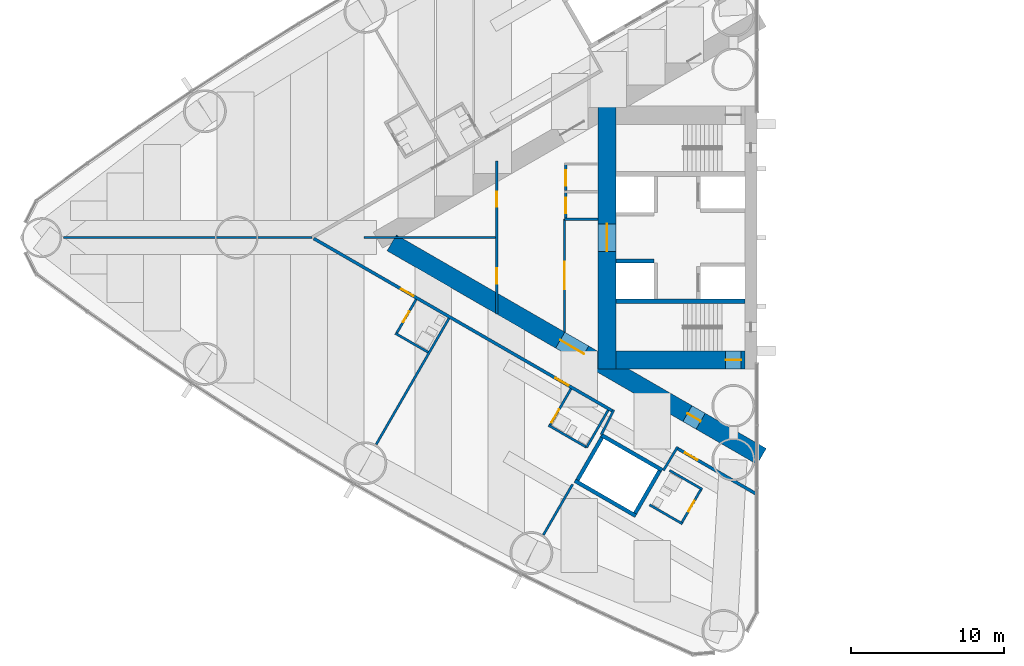
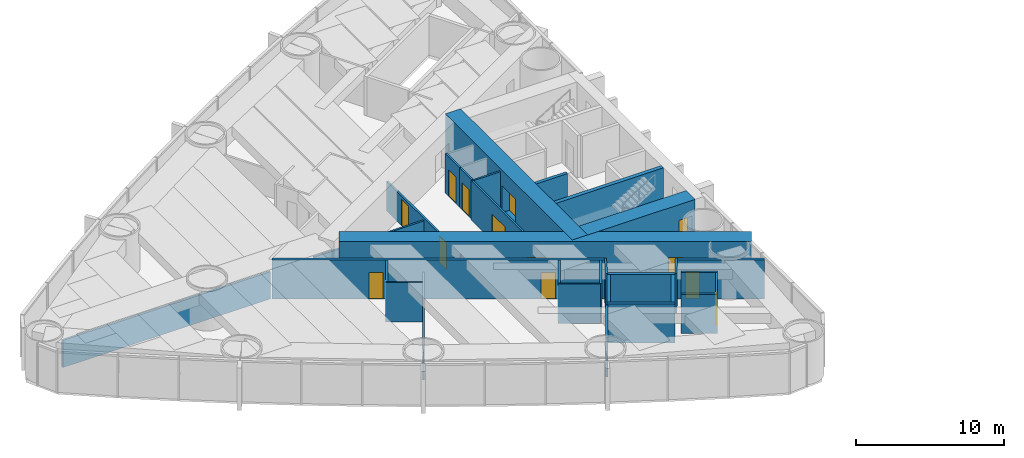
# One storey, part 11 of 19: 30 walls, 15 doors, 15 openings.
"""IFC4 building model written with IfcOpenShell, lengths in metres."""

from ifc_helpers import new_model, si_unit, direction, frame, frame_2d, origin, place, context, subcontext, project, spatial, rectangle, extrude, material, layer, layer_set, type_object, element, fill, save


model = new_model("IFC4")

# Units and contexts
model_context = context("Model", 3, precision=1e-05, world=origin(), true_north=direction((0.0, 1.0)))
body_context = subcontext(model_context, "Body", "Model", "MODEL_VIEW")
ifc_project = project(units=[si_unit("LENGTHUNIT", "METRE"), si_unit("AREAUNIT", "SQUARE_METRE"), si_unit("VOLUMEUNIT", "CUBIC_METRE"), si_unit("PLANEANGLEUNIT", "RADIAN"), si_unit("MASSUNIT", "GRAM", prefix="KILO")], contexts=[model_context])

# Site, building, storey
site_placement = place(None, origin())
site = spatial("IfcSite", under=ifc_project, at=site_placement, CompositionType="ELEMENT")
building_placement = place(site_placement, origin())
building = spatial("IfcBuilding", under=site, at=building_placement, Name="Lancet Gate Hotel", CompositionType="ELEMENT")
storey_placement = place(building_placement, frame((0.0, 0.0, 25.0)))
storey = spatial("IfcBuildingStorey", under=building, at=storey_placement, Name="L05", CompositionType="ELEMENT", Elevation=25.0)

# Wall
ifc_material_1 = material(Name="Moisture resistant board partition")
ifc_layer_1 = layer(ifc_material_1, 0.14990234375)
ifc_layer_set_1 = layer_set([ifc_layer_1], Name="Bathroom wall 150")
wall_type_1 = type_object("IfcWallType", Name="Bathroom wall 150", PredefinedType="PARTITIONING", material=ifc_layer_set_1)
wall_1_placement = place(storey_placement, frame((-48.99169921875, -7.491943359375, 0.0), z_axis=(0.0, 0.0, 1.0), x_axis=(-0.866031185235, 0.4999899861, 0.0)))
element("IfcWall", 1, at=wall_1_placement, inside=storey, type_object=wall_type_1, Name="T1 bathroom wall 150 L05", PredefinedType="PARTITIONING", context=body_context, shape_type="SweptSolid", body=[
    extrude(rectangle(XDim=2.47509765625, YDim=0.14990234375, at=frame_2d((1.237548828125, 0.0))), origin(), (0.0, 0.0, 1.0), 3.25),
])

# Wall, opening, door
wall_2_placement = place(storey_placement, frame((-49.770263671875, -4.040283203125, 0.0), z_axis=(0.0, 0.0, 1.0), x_axis=(-0.500006934395, -0.866021400173, 0.0)))
wall_2 = element("IfcWall", 2, at=wall_2_placement, inside=storey, type_object=wall_type_1, Name="T1 bathroom wall 150 L05", PredefinedType="PARTITIONING", context=body_context, shape_type="SweptSolid", body=[
    extrude(rectangle(XDim=2.60009765625, YDim=0.14990234375, at=frame_2d((1.300048828125, 0.0))), origin(), (0.0, 0.0, 1.0), 3.25),
])
opening_1_placement = place(wall_2_placement, frame((0.89990234375, 0.0, 0.0)))
opening_1 = element("IfcOpeningElement", 3, at=opening_1_placement, cuts=wall_2, Name="Opening 0505-B", PredefinedType="OPENING", context=body_context, shape_type="SweptSolid", body=[
    extrude(rectangle(XDim=0.800048828125, YDim=2.199951171875, at=frame_2d((0.39990234375, 1.10009765625))), frame((0.0, 0.0849609375, 0.0), z_axis=(0.0, -1.0, 0.0), x_axis=(1.0, 0.0, 0.0)), (0.0, 0.0, 1.0), 0.169921875),
])
ifc_material_2 = material(Name="Timber door set", Category="wood")
door_type_1 = type_object("IfcDoorType", Name="Bathroom door 800", OperationType="SINGLE_SWING_RIGHT", PredefinedType="DOOR", material=ifc_material_2)
door_1_placement = place(opening_1_placement, origin())
door_1 = element("IfcDoor", 4, at=door_1_placement, inside=storey, type_object=door_type_1, Name="0505-B", OperationType="SINGLE_SWING_RIGHT", OverallHeight=2.199951171875, OverallWidth=0.800048828125, PredefinedType="DOOR", context=body_context, shape_type="SweptSolid", body=[
    extrude(rectangle(XDim=0.800048828125, YDim=2.199951171875, at=frame_2d((0.39990234375, 1.10009765625))), frame((0.0, 0.02490234375, 0.0), z_axis=(0.0, -1.0, 0.0), x_axis=(1.0, 0.0, 0.0)), (0.0, 0.0, 1.0), 0.050048828125),
])
fill(opening_1, door_1)

# Wall
wall_3_placement = place(storey_placement, frame((-38.630126953125, -13.705322265625, 0.0), z_axis=(0.0, 0.0, 1.0), x_axis=(-0.866018712932, 0.500011588718, 0.0)))
element("IfcWall", 5, at=wall_3_placement, inside=storey, type_object=wall_type_1, Name="T1 bathroom wall 150 L05", PredefinedType="PARTITIONING", context=body_context, shape_type="SweptSolid", body=[
    extrude(rectangle(XDim=2.875, YDim=0.14990234375, at=frame_2d((1.4375, 0.0))), origin(), (0.0, 0.0, 1.0), 3.25),
])

# Wall, opening, door
wall_4_placement = place(storey_placement, frame((-39.65478515625, -9.88037109375, 0.0), z_axis=(0.0, 0.0, 1.0), x_axis=(-0.500049511043, -0.865996816683, 0.0)))
wall_4 = element("IfcWall", 6, at=wall_4_placement, inside=storey, type_object=wall_type_1, Name="T1 bathroom wall 150 L05", PredefinedType="PARTITIONING", context=body_context, shape_type="SweptSolid", body=[
    extrude(rectangle(XDim=2.800048828125, YDim=0.14990234375, at=frame_2d((1.39990234375, 0.0))), origin(), (0.0, 0.0, 1.0), 3.25),
])
opening_2_placement = place(wall_4_placement, frame((1.550048828125, 0.0, 0.0)))
opening_2 = element("IfcOpeningElement", 7, at=opening_2_placement, cuts=wall_4, Name="Opening 0507-B", PredefinedType="OPENING", context=body_context, shape_type="SweptSolid", body=[
    extrude(rectangle(XDim=1.0, YDim=2.199951171875, at=frame_2d((0.5, 1.10009765625))), frame((0.0, 0.0849609375, 0.0), z_axis=(0.0, -1.0, 0.0), x_axis=(1.0, 0.0, 0.0)), (0.0, 0.0, 1.0), 0.169921875),
])
ifc_material_3 = material(Name="Timber door set", Category="wood")
door_type_2 = type_object("IfcDoorType", Name="Accessible en-suite door 1000", OperationType="SINGLE_SWING_RIGHT", PredefinedType="DOOR", material=ifc_material_3)
door_2_placement = place(opening_2_placement, origin())
door_2 = element("IfcDoor", 8, at=door_2_placement, inside=storey, type_object=door_type_2, Name="0507-B", OperationType="SINGLE_SWING_RIGHT", OverallHeight=2.199951171875, OverallWidth=1.0, PredefinedType="DOOR", context=body_context, shape_type="SweptSolid", body=[
    extrude(rectangle(XDim=1.0, YDim=2.199951171875, at=frame_2d((0.5, 1.10009765625))), frame((0.0, 0.02490234375, 0.0), z_axis=(0.0, -1.0, 0.0), x_axis=(1.0, 0.0, 0.0)), (0.0, 0.0, 1.0), 0.050048828125),
])
fill(opening_2, door_2)

# Walls
wall_5_placement = place(storey_placement, frame((-37.22998046875, -11.280517578125, 0.0), z_axis=(0.0, 0.0, 1.0), x_axis=(-0.500049511043, -0.865996816683, 0.0)))
element("IfcWall", 9, at=wall_5_placement, inside=storey, type_object=wall_type_1, Name="T1 bathroom wall 150 L05", PredefinedType="PARTITIONING", context=body_context, shape_type="SweptSolid", body=[
    extrude(rectangle(XDim=2.800048828125, YDim=0.14990234375, at=frame_2d((1.39990234375, 0.0))), origin(), (0.0, 0.0, 1.0), 3.25),
])
wall_6_placement = place(storey_placement, frame((-32.3759765625, -18.70166015625, 0.0), z_axis=(0.0, 0.0, 1.0), x_axis=(-0.866006523861, 0.500032699561, 0.0)))
element("IfcWall", 10, at=wall_6_placement, inside=storey, type_object=wall_type_1, Name="T1 bathroom wall 150 L05", PredefinedType="PARTITIONING", context=body_context, shape_type="SweptSolid", body=[
    extrude(rectangle(XDim=2.474853515625, YDim=0.14990234375, at=frame_2d((1.2373046875, 0.0))), origin(), (0.0, 0.0, 1.0), 3.25),
])

# Wall, opening, door
wall_7_placement = place(storey_placement, frame((-31.140869140625, -16.41259765625, 0.0), z_axis=(0.0, 0.0, 1.0), x_axis=(-0.500006934395, -0.866021400173, 0.0)))
wall_7 = element("IfcWall", 11, at=wall_7_placement, inside=storey, type_object=wall_type_1, Name="T1 bathroom wall 150 L05", PredefinedType="PARTITIONING", context=body_context, shape_type="SweptSolid", body=[
    extrude(rectangle(XDim=2.60009765625, YDim=0.14990234375, at=frame_2d((1.300048828125, 0.0))), origin(), (0.0, 0.0, 1.0), 3.25),
])
opening_3_placement = place(wall_7_placement, frame((0.89990234375, 0.0, 0.0)))
opening_3 = element("IfcOpeningElement", 12, at=opening_3_placement, cuts=wall_7, Name="Opening 0508-B", PredefinedType="OPENING", context=body_context, shape_type="SweptSolid", body=[
    extrude(rectangle(XDim=0.800048828125, YDim=2.199951171875, at=frame_2d((0.39990234375, 1.10009765625))), frame((0.0, 0.0849609375, 0.0), z_axis=(0.0, -1.0, 0.0), x_axis=(1.0, 0.0, 0.0)), (0.0, 0.0, 1.0), 0.169921875),
])
door_3_placement = place(opening_3_placement, origin())
door_3 = element("IfcDoor", 13, at=door_3_placement, inside=storey, type_object=door_type_1, Name="0508-B", OperationType="SINGLE_SWING_RIGHT", OverallHeight=2.199951171875, OverallWidth=0.800048828125, PredefinedType="DOOR", context=body_context, shape_type="SweptSolid", body=[
    extrude(rectangle(XDim=0.800048828125, YDim=2.199951171875, at=frame_2d((0.39990234375, 1.10009765625))), frame((0.0, 0.02490234375, 0.0), z_axis=(0.0, -1.0, 0.0), x_axis=(1.0, 0.0, 0.0)), (0.0, 0.0, 1.0), 0.050048828125),
])
fill(opening_3, door_3)

# Wall
wall_8_placement = place(storey_placement, frame((-31.075927734375, -16.449951171875, 0.0), z_axis=(0.0, 0.0, 1.0), x_axis=(-0.866073894602, 0.499916002032, 0.0)))
element("IfcWall", 14, at=wall_8_placement, inside=storey, type_object=wall_type_1, Name="T1 bathroom wall 150 L05", PredefinedType="PARTITIONING", context=body_context, shape_type="SweptSolid", body=[
    extrude(rectangle(XDim=2.47509765625, YDim=0.14990234375, at=frame_2d((1.237548828125, 0.0))), origin(), (0.0, 0.0, 1.0), 3.25),
])

# Wall, openings, doors
ifc_material_4 = material(Name="Concrete C70/85", Category="concrete")
ifc_layer_2 = layer(ifc_material_4, 1.199951171875)
ifc_layer_set_2 = layer_set([ifc_layer_2], Name="Buttress wall 1200")
wall_type_2 = type_object("IfcWallType", Name="Buttress wall 1200", PredefinedType="SHEAR", material=ifc_layer_set_2)
wall_9_placement = place(storey_placement, frame((-27.199951171875, -14.300048828125, 0.0), z_axis=(0.0, 0.0, 1.0), x_axis=(-0.866024021859, 0.500002393557, 0.0)))
wall_9 = element("IfcWall", 15, at=wall_9_placement, inside=storey, type_object=wall_type_2, Name="T1 buttress wall N L05", PredefinedType="SHEAR", context=body_context, shape_type="SweptSolid", body=[
    extrude(rectangle(XDim=27.906982421875, YDim=1.199951171875, at=frame_2d((13.95361328125, 0.0))), origin(), (0.0, 0.0, 1.0), 3.5),
])
opening_4_placement = place(wall_9_placement, frame((4.60009765625, 0.0, 0.0)))
opening_4 = element("IfcOpeningElement", 16, at=opening_4_placement, cuts=wall_9, Name="Opening T1-L05-LN", PredefinedType="OPENING", context=body_context, shape_type="SweptSolid", body=[
    extrude(rectangle(XDim=1.0, YDim=2.199951171875, at=frame_2d((0.5, 1.10009765625))), frame((0.0, 0.60986328125, 0.0), z_axis=(0.0, -1.0, 0.0), x_axis=(1.0, 0.0, 0.0)), (0.0, 0.0, 1.0), 1.219970703125),
])
opening_5_placement = place(wall_9_placement, frame((13.39453125, 0.0, 0.0)))
opening_5 = element("IfcOpeningElement", 17, at=opening_5_placement, cuts=wall_9, Name="Opening T1-L05-LHN", PredefinedType="OPENING", context=body_context, shape_type="SweptSolid", body=[
    extrude(rectangle(XDim=1.800048828125, YDim=2.199951171875, at=frame_2d((0.89990234375, 1.10009765625))), frame((0.0, 0.60986328125, 0.0), z_axis=(0.0, -1.0, 0.0), x_axis=(1.0, 0.0, 0.0)), (0.0, 0.0, 1.0), 1.219970703125),
])
ifc_material_5 = material(Name="Timber door set", Category="wood")
door_type_3 = type_object("IfcDoorType", Name="Lobby double door 1800", OperationType="DOUBLE_DOOR_SINGLE_SWING", PredefinedType="DOOR", material=ifc_material_5)
door_4_placement = place(opening_5_placement, origin())
door_4 = element("IfcDoor", 18, at=door_4_placement, inside=storey, type_object=door_type_3, Name="T1-L05-LHN", OperationType="DOUBLE_DOOR_SINGLE_SWING", OverallHeight=2.199951171875, OverallWidth=1.800048828125, PredefinedType="DOOR", context=body_context, shape_type="SweptSolid", body=[
    extrude(rectangle(XDim=1.800048828125, YDim=2.199951171875, at=frame_2d((0.89990234375, 1.10009765625))), frame((0.0, 0.02490234375, 0.0), z_axis=(0.0, -1.0, 0.0), x_axis=(1.0, 0.0, 0.0)), (0.0, 0.0, 1.0), 0.050048828125),
])
fill(opening_5, door_4)
ifc_material_6 = material(Name="Timber door set", Category="wood")
door_type_4 = type_object("IfcDoorType", Name="Stair lobby door 1000", OperationType="SINGLE_SWING_LEFT", PredefinedType="DOOR", material=ifc_material_6)
door_5_placement = place(opening_4_placement, origin())
door_5 = element("IfcDoor", 19, at=door_5_placement, inside=storey, type_object=door_type_4, Name="T1-L05-LN", OperationType="SINGLE_SWING_LEFT", OverallHeight=2.199951171875, OverallWidth=1.0, PredefinedType="DOOR", context=body_context, shape_type="SweptSolid", body=[
    extrude(rectangle(XDim=1.0, YDim=2.199951171875, at=frame_2d((0.5, 1.10009765625))), frame((0.0, 0.02490234375, 0.0), z_axis=(0.0, -1.0, 0.0), x_axis=(1.0, 0.0, 0.0)), (0.0, 0.0, 1.0), 0.050048828125),
])
fill(opening_4, door_5)

# Wall, opening, door
ifc_material_7 = material(Name="Concrete C70/85", Category="concrete")
ifc_layer_3 = layer(ifc_material_7, 1.199951171875)
ifc_layer_set_3 = layer_set([ifc_layer_3], Name="Core wall 1200")
wall_type_3 = type_object("IfcWallType", Name="Core wall 1200", PredefinedType="SHEAR", material=ifc_layer_set_3)
wall_10_placement = place(storey_placement, frame((-37.300048828125, 8.60009765625, 0.0), z_axis=(0.0, 0.0, 1.0), x_axis=(0.0, -1.0, 0.0)))
wall_10 = element("IfcWall", 20, at=wall_10_placement, inside=storey, type_object=wall_type_3, Name="T1 core wall back L05", PredefinedType="SHEAR", context=body_context, shape_type="SweptSolid", body=[
    extrude(rectangle(XDim=17.2001953125, YDim=1.199951171875, at=frame_2d((8.60009765625, 0.0))), origin(), (0.0, 0.0, 1.0), 3.5),
])
opening_6_placement = place(wall_10_placement, frame((7.699951171875, 0.0, 0.0)))
opening_6 = element("IfcOpeningElement", 21, at=opening_6_placement, cuts=wall_10, Name="Opening T1-L05-LL", PredefinedType="OPENING", context=body_context, shape_type="SweptSolid", body=[
    extrude(rectangle(XDim=1.800048828125, YDim=2.199951171875, at=frame_2d((0.89990234375, 1.10009765625))), frame((0.0, 0.60986328125, 0.0), z_axis=(0.0, -1.0, 0.0), x_axis=(1.0, 0.0, 0.0)), (0.0, 0.0, 1.0), 1.219970703125),
])
door_6_placement = place(opening_6_placement, origin())
door_6 = element("IfcDoor", 22, at=door_6_placement, inside=storey, type_object=door_type_3, Name="T1-L05-LL", OperationType="DOUBLE_DOOR_SINGLE_SWING", OverallHeight=2.199951171875, OverallWidth=1.800048828125, PredefinedType="DOOR", context=body_context, shape_type="SweptSolid", body=[
    extrude(rectangle(XDim=1.800048828125, YDim=2.199951171875, at=frame_2d((0.89990234375, 1.10009765625))), frame((0.0, 0.02490234375, 0.0), z_axis=(0.0, -1.0, 0.0), x_axis=(1.0, 0.0, 0.0)), (0.0, 0.0, 1.0), 0.050048828125),
])
fill(opening_6, door_6)

wall_11_placement = place(storey_placement, frame((-28.300048828125, -8.0, 0.0), z_axis=(0.0, 0.0, 1.0), x_axis=(-1.0, 0.0, 0.0)))
wall_11 = element("IfcWall", 23, at=wall_11_placement, inside=storey, type_object=wall_type_3, Name="T1 core wall side-N L05", PredefinedType="SHEAR", context=body_context, shape_type="SweptSolid", body=[
    extrude(rectangle(XDim=8.39990234375, YDim=1.199951171875, at=frame_2d((4.199951171875, 0.0))), origin(), (0.0, 0.0, 1.0), 3.5),
])
opening_7_placement = place(wall_11_placement, frame((0.25, 0.0, 0.0)))
opening_7 = element("IfcOpeningElement", 24, at=opening_7_placement, cuts=wall_11, Name="Opening T1-L05-ST2", PredefinedType="OPENING", context=body_context, shape_type="SweptSolid", body=[
    extrude(rectangle(XDim=1.0, YDim=2.199951171875, at=frame_2d((0.5, 1.10009765625))), frame((0.0, 0.60986328125, 0.0), z_axis=(0.0, -1.0, 0.0), x_axis=(1.0, 0.0, 0.0)), (0.0, 0.0, 1.0), 1.219970703125),
])
ifc_material_8 = material(Name="Timber door set", Category="wood")
door_type_5 = type_object("IfcDoorType", Name="Stair door 1000", OperationType="SINGLE_SWING_RIGHT", PredefinedType="DOOR", material=ifc_material_8)
door_7_placement = place(opening_7_placement, origin())
door_7 = element("IfcDoor", 25, at=door_7_placement, inside=storey, type_object=door_type_5, Name="T1-L05-ST2", OperationType="SINGLE_SWING_RIGHT", OverallHeight=2.199951171875, OverallWidth=1.0, PredefinedType="DOOR", context=body_context, shape_type="SweptSolid", body=[
    extrude(rectangle(XDim=1.0, YDim=2.199951171875, at=frame_2d((0.5, 1.10009765625))), frame((0.0, 0.02490234375, 0.0), z_axis=(0.0, -1.0, 0.0), x_axis=(1.0, 0.0, 0.0)), (0.0, 0.0, 1.0), 0.050048828125),
])
fill(opening_7, door_7)

ifc_material_9 = material(Name="Gypsum board partition")
ifc_layer_4 = layer(ifc_material_9, 0.199951171875)
ifc_layer_set_4 = layer_set([ifc_layer_4], Name="Corridor wall 200")
wall_type_4 = type_object("IfcWallType", Name="Corridor wall 200", PredefinedType="PARTITIONING", material=ifc_layer_set_4)
wall_12_placement = place(storey_placement, frame((-27.572021484375, -16.740966796875, 0.0), z_axis=(0.0, 0.0, 1.0), x_axis=(-0.866024464444, 0.500001626982, 0.0)))
wall_12 = element("IfcWall", 26, at=wall_12_placement, inside=storey, type_object=wall_type_4, Name="T1 corridor wall 200 L05", PredefinedType="PARTITIONING", context=body_context, shape_type="SweptSolid", body=[
    extrude(rectangle(XDim=5.955078125, YDim=0.199951171875, at=frame_2d((2.9775390625, 0.0))), origin(), (0.0, 0.0, 1.0), 3.25),
])
opening_8_placement = place(wall_12_placement, frame((4.405029296875, 0.0, 0.0)))
opening_8 = element("IfcOpeningElement", 27, at=opening_8_placement, cuts=wall_12, Name="Opening 0508-E", PredefinedType="OPENING", context=body_context, shape_type="SweptSolid", body=[
    extrude(rectangle(XDim=0.949951171875, YDim=2.199951171875, at=frame_2d((0.47509765625, 1.10009765625))), frame((0.0, 0.10986328125, 0.0), z_axis=(0.0, -1.0, 0.0), x_axis=(1.0, 0.0, 0.0)), (0.0, 0.0, 1.0), 0.219970703125),
])
ifc_material_10 = material(Name="Timber door set", Category="wood")
door_type_6 = type_object("IfcDoorType", Name="Guest room entry door 950", OperationType="SINGLE_SWING_LEFT", PredefinedType="DOOR", material=ifc_material_10)
door_8_placement = place(opening_8_placement, origin())
door_8 = element("IfcDoor", 28, at=door_8_placement, inside=storey, type_object=door_type_6, Name="0508-E", OperationType="SINGLE_SWING_LEFT", OverallHeight=2.199951171875, OverallWidth=0.949951171875, PredefinedType="DOOR", context=body_context, shape_type="SweptSolid", body=[
    extrude(rectangle(XDim=0.949951171875, YDim=2.199951171875, at=frame_2d((0.47509765625, 1.10009765625))), frame((0.0, 0.02490234375, 0.0), z_axis=(0.0, -1.0, 0.0), x_axis=(1.0, 0.0, 0.0)), (0.0, 0.0, 1.0), 0.050048828125),
])
fill(opening_8, door_8)

# Wall, openings, doors
wall_13_placement = place(storey_placement, frame((-36.920166015625, -11.34375, 0.0), z_axis=(0.0, 0.0, 1.0), x_axis=(-0.866028313256, 0.499994960614, 0.0)))
wall_13 = element("IfcWall", 29, at=wall_13_placement, inside=storey, type_object=wall_type_4, Name="T1 corridor wall 200 L05", PredefinedType="PARTITIONING", context=body_context, shape_type="SweptSolid", body=[
    extrude(rectangle(XDim=22.567626953125, YDim=0.199951171875, at=frame_2d((11.28369140625, 0.0))), origin(), (0.0, 0.0, 1.0), 3.25),
])
opening_9_placement = place(wall_13_placement, frame((15.0302734375, 0.0, 0.0)))
opening_9 = element("IfcOpeningElement", 30, at=opening_9_placement, cuts=wall_13, Name="Opening 0505-E", PredefinedType="OPENING", context=body_context, shape_type="SweptSolid", body=[
    extrude(rectangle(XDim=0.949951171875, YDim=2.199951171875, at=frame_2d((0.47509765625, 1.10009765625))), frame((0.0, 0.10986328125, 0.0), z_axis=(0.0, -1.0, 0.0), x_axis=(1.0, 0.0, 0.0)), (0.0, 0.0, 1.0), 0.219970703125),
])
opening_10_placement = place(wall_13_placement, frame((3.35009765625, 0.0, 0.0)))
opening_10 = element("IfcOpeningElement", 31, at=opening_10_placement, cuts=wall_13, Name="Opening 0507-E", PredefinedType="OPENING", context=body_context, shape_type="SweptSolid", body=[
    extrude(rectangle(XDim=1.0, YDim=2.199951171875, at=frame_2d((0.5, 1.10009765625))), frame((0.0, 0.10986328125, 0.0), z_axis=(0.0, -1.0, 0.0), x_axis=(1.0, 0.0, 0.0)), (0.0, 0.0, 1.0), 0.219970703125),
])
ifc_material_11 = material(Name="Timber door set", Category="wood")
door_type_7 = type_object("IfcDoorType", Name="Accessible guest room door 1000", OperationType="SINGLE_SWING_LEFT", PredefinedType="DOOR", material=ifc_material_11)
door_9_placement = place(opening_10_placement, origin())
door_9 = element("IfcDoor", 32, at=door_9_placement, inside=storey, type_object=door_type_7, Name="0507-E", OperationType="SINGLE_SWING_LEFT", OverallHeight=2.199951171875, OverallWidth=1.0, PredefinedType="DOOR", context=body_context, shape_type="SweptSolid", body=[
    extrude(rectangle(XDim=1.0, YDim=2.199951171875, at=frame_2d((0.5, 1.10009765625))), frame((0.0, 0.02490234375, 0.0), z_axis=(0.0, -1.0, 0.0), x_axis=(1.0, 0.0, 0.0)), (0.0, 0.0, 1.0), 0.050048828125),
])
fill(opening_10, door_9)
door_10_placement = place(opening_9_placement, origin())
door_10 = element("IfcDoor", 33, at=door_10_placement, inside=storey, type_object=door_type_6, Name="0505-E", OperationType="SINGLE_SWING_LEFT", OverallHeight=2.199951171875, OverallWidth=0.949951171875, PredefinedType="DOOR", context=body_context, shape_type="SweptSolid", body=[
    extrude(rectangle(XDim=0.949951171875, YDim=2.199951171875, at=frame_2d((0.47509765625, 1.10009765625))), frame((0.0, 0.02490234375, 0.0), z_axis=(0.0, -1.0, 0.0), x_axis=(1.0, 0.0, 0.0)), (0.0, 0.0, 1.0), 0.050048828125),
])
fill(opening_9, door_10)

# Walls
ifc_material_12 = material(Name="Gypsum board partition")
ifc_layer_5 = layer(ifc_material_12, 0.25)
ifc_layer_set_5 = layer_set([ifc_layer_5], Name="Lift shaft partition 250")
wall_type_5 = type_object("IfcWallType", Name="Lift shaft partition 250", PredefinedType="PARTITIONING", material=ifc_layer_set_5)
wall_14_placement = place(storey_placement, frame((-33.695556640625, -15.197265625, 0.0), z_axis=(0.0, 0.0, 1.0), x_axis=(-0.865976953817, 0.500083908417, 0.0)))
element("IfcWall", 34, at=wall_14_placement, inside=storey, type_object=wall_type_5, Name="T1 lift shaft wall EX L05", PredefinedType="PARTITIONING", context=body_context, shape_type="SweptSolid", body=[
    extrude(rectangle(XDim=4.599365234375, YDim=0.25, at=frame_2d((2.2998046875, 0.0))), origin(), (0.0, 0.0, 1.0), 3.25),
])
wall_15_placement = place(storey_placement, frame((-35.42041015625, -18.185791015625, 0.0), z_axis=(0.0, 0.0, 1.0), x_axis=(-0.865990227814, 0.50006092162, 0.0)))
element("IfcWall", 35, at=wall_15_placement, inside=storey, type_object=wall_type_5, Name="T1 lift shaft wall EX L05", PredefinedType="PARTITIONING", context=body_context, shape_type="SweptSolid", body=[
    extrude(rectangle(XDim=4.599609375, YDim=0.25, at=frame_2d((2.2998046875, 0.0))), origin(), (0.0, 0.0, 1.0), 3.25),
])
wall_16_placement = place(storey_placement, frame((-33.8662109375, -15.242919921875, 0.0), z_axis=(0.0, 0.0, 1.0), x_axis=(-0.499929347863, -0.866066190972, 0.0)))
element("IfcWall", 36, at=wall_16_placement, inside=storey, type_object=wall_type_5, Name="T1 lift shaft wall EX L05", PredefinedType="PARTITIONING", context=body_context, shape_type="SweptSolid", body=[
    extrude(rectangle(XDim=3.20068359375, YDim=0.25, at=frame_2d((1.600341796875, 0.0))), origin(), (0.0, 0.0, 1.0), 3.25),
])
wall_17_placement = place(storey_placement, frame((-37.6328125, -13.068115234375, 0.0), z_axis=(0.0, 0.0, 1.0), x_axis=(-0.499872130319, -0.866099216793, 0.0)))
element("IfcWall", 37, at=wall_17_placement, inside=storey, type_object=wall_type_5, Name="T1 lift shaft wall EX L05", PredefinedType="PARTITIONING", context=body_context, shape_type="SweptSolid", body=[
    extrude(rectangle(XDim=3.200439453125, YDim=0.25, at=frame_2d((1.60009765625, 0.0))), origin(), (0.0, 0.0, 1.0), 3.25),
])
ifc_material_13 = material(Name="Concrete C50/60", Category="concrete")
ifc_layer_6 = layer(ifc_material_13, 0.25)
ifc_layer_set_6 = layer_set([ifc_layer_6], Name="Lift shaft wall 250")
wall_type_6 = type_object("IfcWallType", Name="Lift shaft wall 250", PredefinedType="SHEAR", material=ifc_layer_set_6)
wall_18_placement = place(storey_placement, frame((-34.25, -1.52490234375, 0.0), z_axis=(0.0, 0.0, 1.0), x_axis=(-1.0, 0.0, 0.0)))
element("IfcWall", 38, at=wall_18_placement, inside=storey, type_object=wall_type_6, Name="T1 core wall pass2-N L05", PredefinedType="SHEAR", context=body_context, shape_type="SweptSolid", body=[
    extrude(rectangle(XDim=2.449951171875, YDim=0.25, at=frame_2d((1.22509765625, 0.0))), origin(), (0.0, 0.0, 1.0), 3.5),
])
ifc_material_14 = material(Name="Gypsum board partition")
ifc_layer_7 = layer(ifc_material_14, 0.14990234375)
ifc_layer_set_7 = layer_set([ifc_layer_7], Name="Party wall 150")
wall_type_7 = type_object("IfcWallType", Name="Party wall 150", PredefinedType="PARTITIONING", material=ifc_layer_set_7)
wall_19_placement = place(storey_placement, frame((-47.626708984375, -5.27783203125, 0.0), z_axis=(0.0, 0.0, 1.0), x_axis=(-0.500009844318, -0.86601972009, 0.0)))
element("IfcWall", 39, at=wall_19_placement, inside=storey, type_object=wall_type_7, Name="T1 party wall 150 L05", PredefinedType="PARTITIONING", context=body_context, shape_type="SweptSolid", body=[
    extrude(rectangle(XDim=9.510498046875, YDim=0.14990234375, at=frame_2d((4.75537109375, 0.0))), origin(), (0.0, 0.0, 1.0), 2.25),
])
wall_20_placement = place(storey_placement, frame((-56.568359375, 0.0, 0.0), z_axis=(0.0, 0.0, 1.0), x_axis=(-1.0, 0.0, 0.0)))
element("IfcWall", 40, at=wall_20_placement, inside=storey, type_object=wall_type_7, Name="T1 party wall 150 L05", PredefinedType="PARTITIONING", context=body_context, shape_type="SweptSolid", body=[
    extrude(rectangle(XDim=16.246826171875, YDim=0.14990234375, at=frame_2d((8.12353515625, 0.0))), origin(), (0.0, 0.0, 1.0), 2.25),
])
wall_21_placement = place(storey_placement, frame((-39.55078125, -16.118408203125, 0.0), z_axis=(0.0, 0.0, 1.0), x_axis=(-0.499986503906, -0.866033195618, 0.0)))
element("IfcWall", 41, at=wall_21_placement, inside=storey, type_object=wall_type_7, Name="T1 party wall 150 L05", PredefinedType="PARTITIONING", context=body_context, shape_type="SweptSolid", body=[
    extrude(rectangle(XDim=3.81494140625, YDim=0.14990234375, at=frame_2d((1.907470703125, 0.0))), origin(), (0.0, 0.0, 1.0), 3.25),
])
ifc_material_15 = material(Name="Gypsum board partition")
ifc_layer_8 = layer(ifc_material_15, 0.14990234375)
ifc_layer_set_8 = layer_set([ifc_layer_8], Name="Service room wall 150")
wall_type_8 = type_object("IfcWallType", Name="Service room wall 150", PredefinedType="PARTITIONING", material=ifc_layer_set_8)
wall_22_placement = place(storey_placement, frame((-36.857177734375, -11.2646484375, 0.0), z_axis=(0.0, 0.0, 1.0), x_axis=(-0.454225294761, -0.890886851176, 0.0)))
element("IfcWall", 42, at=wall_22_placement, inside=storey, type_object=wall_type_8, Name="T1 service room wall 150 L05", PredefinedType="PARTITIONING", context=body_context, shape_type="SweptSolid", body=[
    extrude(rectangle(XDim=1.80712890625, YDim=0.14990234375, at=frame_2d((0.903564453125, 0.0))), origin(), (0.0, 0.0, 1.0), 3.25),
])
wall_23_placement = place(storey_placement, frame((-33.62060546875, -15.217529296875, 0.0), z_axis=(0.0, 0.0, 1.0), x_axis=(0.514336634837, 0.857588377991, 0.0)))
element("IfcWall", 43, at=wall_23_placement, inside=storey, type_object=wall_type_8, Name="T1 service room wall 150 L05", PredefinedType="PARTITIONING", context=body_context, shape_type="SweptSolid", body=[
    extrude(rectangle(XDim=1.80517578125, YDim=0.14990234375, at=frame_2d((0.902587890625, 0.0))), origin(), (0.0, 0.0, 1.0), 3.25),
])
wall_24_placement = place(storey_placement, frame((-37.89990234375, 1.199951171875, 0.0), z_axis=(0.0, 0.0, 1.0), x_axis=(-1.0, 0.0, 0.0)))
element("IfcWall", 44, at=wall_24_placement, inside=storey, type_object=wall_type_8, Name="T1 service room wall 150 L05", PredefinedType="PARTITIONING", context=body_context, shape_type="SweptSolid", body=[
    extrude(rectangle(XDim=2.175048828125, YDim=0.14990234375, at=frame_2d((1.08740234375, 0.0))), origin(), (0.0, 0.0, 1.0), 3.25),
])

# Wall, opening, door
wall_25_placement = place(storey_placement, frame((-40.0, 3.074951171875, 0.0), z_axis=(0.0, 0.0, 1.0), x_axis=(0.0, -1.0, 0.0)))
wall_25 = element("IfcWall", 45, at=wall_25_placement, inside=storey, type_object=wall_type_8, Name="T1 service room wall 150 L05", PredefinedType="PARTITIONING", context=body_context, shape_type="SweptSolid", body=[
    extrude(rectangle(XDim=1.949951171875, YDim=0.14990234375, at=frame_2d((0.97509765625, 0.0))), origin(), (0.0, 0.0, 1.0), 3.25),
])
opening_11_placement = place(wall_25_placement, frame((0.47509765625, 0.0, 0.0)))
opening_11 = element("IfcOpeningElement", 46, at=opening_11_placement, cuts=wall_25, Name="Opening T1-L05-HRS0", PredefinedType="OPENING", context=body_context, shape_type="SweptSolid", body=[
    extrude(rectangle(XDim=1.0, YDim=2.199951171875, at=frame_2d((0.5, 1.10009765625))), frame((0.0, 0.0849609375, 0.0), z_axis=(0.0, -1.0, 0.0), x_axis=(1.0, 0.0, 0.0)), (0.0, 0.0, 1.0), 0.169921875),
])
ifc_material_16 = material(Name="Timber door set", Category="wood")
door_type_8 = type_object("IfcDoorType", Name="Service door 1000", OperationType="SINGLE_SWING_LEFT", PredefinedType="DOOR", material=ifc_material_16)
door_11_placement = place(opening_11_placement, origin())
door_11 = element("IfcDoor", 47, at=door_11_placement, inside=storey, type_object=door_type_8, Name="T1-L05-HRS0", OperationType="SINGLE_SWING_LEFT", OverallHeight=2.199951171875, OverallWidth=1.0, PredefinedType="DOOR", context=body_context, shape_type="SweptSolid", body=[
    extrude(rectangle(XDim=1.0, YDim=2.199951171875, at=frame_2d((0.5, 1.10009765625))), frame((0.0, 0.02490234375, 0.0), z_axis=(0.0, -1.0, 0.0), x_axis=(1.0, 0.0, 0.0)), (0.0, 0.0, 1.0), 0.050048828125),
])
fill(opening_11, door_11)

wall_26_placement = place(storey_placement, frame((-40.0, 4.875, 0.0), z_axis=(0.0, 0.0, 1.0), x_axis=(0.0, -1.0, 0.0)))
wall_26 = element("IfcWall", 48, at=wall_26_placement, inside=storey, type_object=wall_type_8, Name="T1 service room wall 150 L05", PredefinedType="PARTITIONING", context=body_context, shape_type="SweptSolid", body=[
    extrude(rectangle(XDim=1.949951171875, YDim=0.14990234375, at=frame_2d((0.97509765625, 0.0))), origin(), (0.0, 0.0, 1.0), 3.25),
])
opening_12_placement = place(wall_26_placement, frame((0.47509765625, 0.0, 0.0)))
opening_12 = element("IfcOpeningElement", 49, at=opening_12_placement, cuts=wall_26, Name="Opening T1-L05-HRS1", PredefinedType="OPENING", context=body_context, shape_type="SweptSolid", body=[
    extrude(rectangle(XDim=1.0, YDim=2.199951171875, at=frame_2d((0.5, 1.10009765625))), frame((0.0, 0.0849609375, 0.0), z_axis=(0.0, -1.0, 0.0), x_axis=(1.0, 0.0, 0.0)), (0.0, 0.0, 1.0), 0.169921875),
])
door_12_placement = place(opening_12_placement, origin())
door_12 = element("IfcDoor", 50, at=door_12_placement, inside=storey, type_object=door_type_8, Name="T1-L05-HRS1", OperationType="SINGLE_SWING_LEFT", OverallHeight=2.199951171875, OverallWidth=1.0, PredefinedType="DOOR", context=body_context, shape_type="SweptSolid", body=[
    extrude(rectangle(XDim=1.0, YDim=2.199951171875, at=frame_2d((0.5, 1.10009765625))), frame((0.0, 0.02490234375, 0.0), z_axis=(0.0, -1.0, 0.0), x_axis=(1.0, 0.0, 0.0)), (0.0, 0.0, 1.0), 0.050048828125),
])
fill(opening_12, door_12)

wall_27_placement = place(storey_placement, frame((-40.074951171875, 1.199951171875, 0.0), z_axis=(0.0, 0.0, 1.0), x_axis=(0.0, -1.0, 0.0)))
wall_27 = element("IfcWall", 51, at=wall_27_placement, inside=storey, type_object=wall_type_8, Name="T1 service room wall 150 L05", PredefinedType="PARTITIONING", context=body_context, shape_type="SweptSolid", body=[
    extrude(rectangle(XDim=7.373779296875, YDim=0.14990234375, at=frame_2d((3.68701171875, 0.0))), origin(), (0.0, 0.0, 1.0), 3.25),
])
opening_13_placement = place(wall_27_placement, frame((2.786865234375, 0.0, 0.0)))
opening_13 = element("IfcOpeningElement", 52, at=opening_13_placement, cuts=wall_27, Name="Opening T1-L05-LH", PredefinedType="OPENING", context=body_context, shape_type="SweptSolid", body=[
    extrude(rectangle(XDim=1.800048828125, YDim=2.199951171875, at=frame_2d((0.89990234375, 1.10009765625))), frame((0.0, 0.0849609375, 0.0), z_axis=(0.0, -1.0, 0.0), x_axis=(1.0, 0.0, 0.0)), (0.0, 0.0, 1.0), 0.169921875),
])
door_13_placement = place(opening_13_placement, origin())
door_13 = element("IfcDoor", 53, at=door_13_placement, inside=storey, type_object=door_type_3, Name="T1-L05-LH", OperationType="DOUBLE_DOOR_SINGLE_SWING", OverallHeight=2.199951171875, OverallWidth=1.800048828125, PredefinedType="DOOR", context=body_context, shape_type="SweptSolid", body=[
    extrude(rectangle(XDim=1.800048828125, YDim=2.199951171875, at=frame_2d((0.89990234375, 1.10009765625))), frame((0.0, 0.02490234375, 0.0), z_axis=(0.0, -1.0, 0.0), x_axis=(1.0, 0.0, 0.0)), (0.0, 0.0, 1.0), 0.050048828125),
])
fill(opening_13, door_13)

# Wall, openings, doors
wall_28_placement = place(storey_placement, frame((-44.5, 5.004638671875, 0.0), z_axis=(0.0, 0.0, 1.0), x_axis=(0.0, -1.0, 0.0)))
wall_28 = element("IfcWall", 54, at=wall_28_placement, inside=storey, type_object=wall_type_8, Name="T1 service room wall 150 L05", PredefinedType="PARTITIONING", context=body_context, shape_type="SweptSolid", body=[
    extrude(rectangle(XDim=10.00927734375, YDim=0.14990234375, at=frame_2d((5.004638671875, 0.0))), origin(), (0.0, 0.0, 1.0), 2.449951171875),
])
opening_14_placement = place(wall_28_placement, frame((2.002197265625, 0.0, 0.0)))
opening_14 = element("IfcOpeningElement", 55, at=opening_14_placement, cuts=wall_28, Name="Opening T1-L05-SV", PredefinedType="OPENING", context=body_context, shape_type="SweptSolid", body=[
    extrude(rectangle(XDim=1.0, YDim=2.199951171875, at=frame_2d((0.5, 1.10009765625))), frame((0.0, 0.0849609375, 0.0), z_axis=(0.0, -1.0, 0.0), x_axis=(1.0, 0.0, 0.0)), (0.0, 0.0, 1.0), 0.169921875),
])
opening_15_placement = place(wall_28_placement, frame((7.0068359375, 0.0, 0.0)))
opening_15 = element("IfcOpeningElement", 56, at=opening_15_placement, cuts=wall_28, Name="Opening T1-L05-SV2", PredefinedType="OPENING", context=body_context, shape_type="SweptSolid", body=[
    extrude(rectangle(XDim=1.0, YDim=2.199951171875, at=frame_2d((0.5, 1.10009765625))), frame((0.0, 0.0849609375, 0.0), z_axis=(0.0, -1.0, 0.0), x_axis=(1.0, 0.0, 0.0)), (0.0, 0.0, 1.0), 0.169921875),
])
door_14_placement = place(opening_14_placement, origin())
door_14 = element("IfcDoor", 57, at=door_14_placement, inside=storey, type_object=door_type_8, Name="T1-L05-SV", OperationType="SINGLE_SWING_LEFT", OverallHeight=2.199951171875, OverallWidth=1.0, PredefinedType="DOOR", context=body_context, shape_type="SweptSolid", body=[
    extrude(rectangle(XDim=1.0, YDim=2.199951171875, at=frame_2d((0.5, 1.10009765625))), frame((0.0, 0.02490234375, 0.0), z_axis=(0.0, -1.0, 0.0), x_axis=(1.0, 0.0, 0.0)), (0.0, 0.0, 1.0), 0.050048828125),
])
fill(opening_14, door_14)
door_15_placement = place(opening_15_placement, origin())
door_15 = element("IfcDoor", 58, at=door_15_placement, inside=storey, type_object=door_type_8, Name="T1-L05-SV2", OperationType="SINGLE_SWING_LEFT", OverallHeight=2.199951171875, OverallWidth=1.0, PredefinedType="DOOR", context=body_context, shape_type="SweptSolid", body=[
    extrude(rectangle(XDim=1.0, YDim=2.199951171875, at=frame_2d((0.5, 1.10009765625))), frame((0.0, 0.02490234375, 0.0), z_axis=(0.0, -1.0, 0.0), x_axis=(1.0, 0.0, 0.0)), (0.0, 0.0, 1.0), 0.050048828125),
])
fill(opening_15, door_15)

# Walls
wall_29_placement = place(storey_placement, frame((-44.574951171875, 0.0, 0.0), z_axis=(0.0, 0.0, 1.0), x_axis=(-1.0, 0.0, 0.0)))
element("IfcWall", 59, at=wall_29_placement, inside=storey, type_object=wall_type_8, Name="T1 service room wall 150 L05", PredefinedType="PARTITIONING", context=body_context, shape_type="SweptSolid", body=[
    extrude(rectangle(XDim=8.59326171875, YDim=0.14990234375, at=frame_2d((4.296630859375, 0.0))), origin(), (0.0, 0.0, 1.0), 2.25),
])
ifc_material_17 = material(Name="Concrete C50/60", Category="concrete")
ifc_layer_9 = layer(ifc_material_17, 0.300048828125)
ifc_layer_set_9 = layer_set([ifc_layer_9], Name="Stair enclosure wall 300")
wall_type_9 = type_object("IfcWallType", Name="Stair enclosure wall 300", PredefinedType="SHEAR", material=ifc_layer_set_9)
wall_30_placement = place(storey_placement, frame((-28.300048828125, -4.14990234375, 0.0), z_axis=(0.0, 0.0, 1.0), x_axis=(-1.0, 0.0, 0.0)))
element("IfcWall", 60, at=wall_30_placement, inside=storey, type_object=wall_type_9, Name="T1 core wall stair-N L05", PredefinedType="SHEAR", context=body_context, shape_type="SweptSolid", body=[
    extrude(rectangle(XDim=8.39990234375, YDim=0.300048828125, at=frame_2d((4.199951171875, 0.0))), origin(), (0.0, 0.0, 1.0), 3.5),
])

save(model, "model.ifc")
